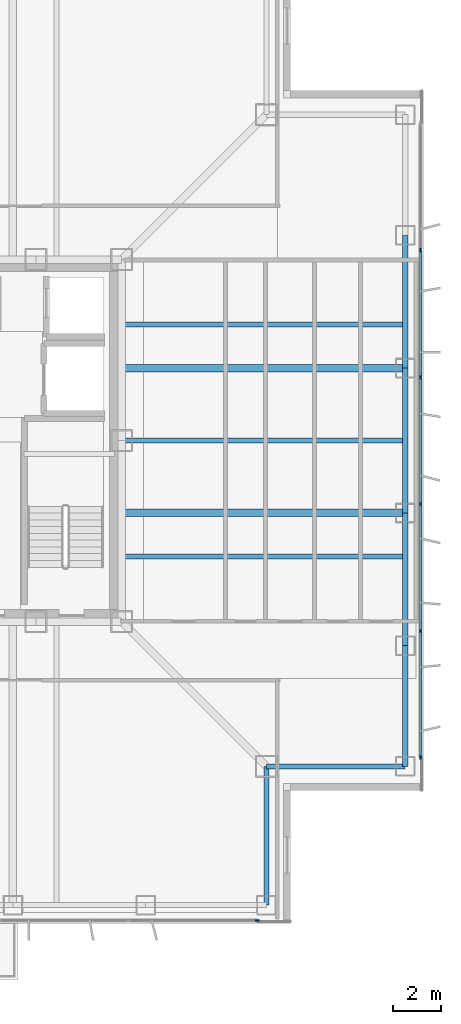
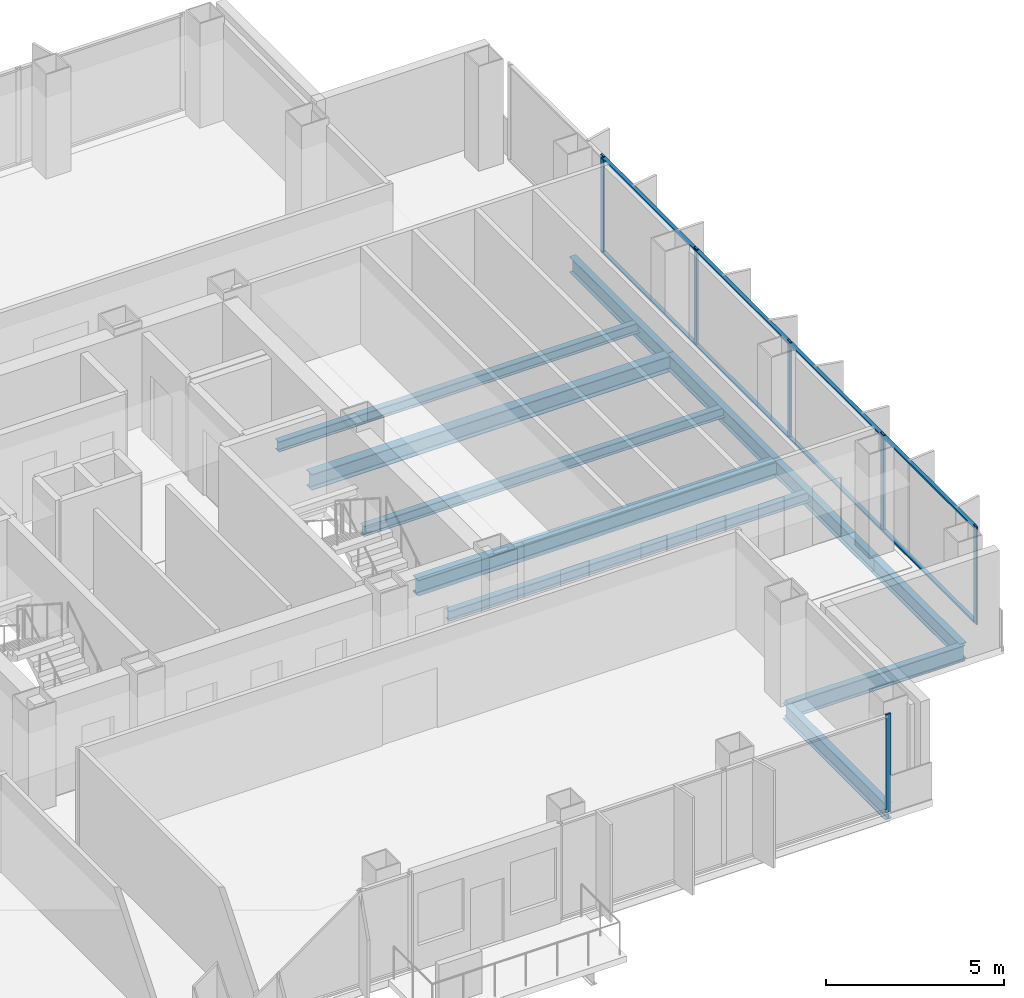
# One storey, part 5 of 13: 14 members, 11 beams, 2 elements without a shape of their own.
"""IFC4 building model written with IfcOpenShell, lengths in metres."""

from ifc_helpers import new_model, si_unit, direction, frame, origin, origin_2d, place, context, subcontext, project, spatial, rectangle, i_section, extrude, material, layer, layer_set, material_profile, profile_set, type_object, element, aggregate, save


model = new_model("IFC4")

# Units and contexts
model_context = context("Model", 3, precision=1e-05, world=origin(), true_north=direction((0.0, 1.0)))
body_context = subcontext(model_context, "Body", "Model", "MODEL_VIEW")
ifc_project = project(units=[si_unit("LENGTHUNIT", "METRE"), si_unit("AREAUNIT", "SQUARE_METRE"), si_unit("VOLUMEUNIT", "CUBIC_METRE"), si_unit("PLANEANGLEUNIT", "RADIAN"), si_unit("MASSUNIT", "GRAM", prefix="KILO")], contexts=[model_context])

# Site, building, storey
site_placement = place(None, origin())
site = spatial("IfcSite", under=ifc_project, at=site_placement, CompositionType="ELEMENT")
building_placement = place(site_placement, origin())
building = spatial("IfcBuilding", under=site, at=building_placement, Name="Trevonay Congress Spire", CompositionType="ELEMENT")
storey_placement = place(building_placement, frame((0.0, 0.0, 205.800048828125)))
storey = spatial("IfcBuildingStorey", under=building, at=storey_placement, Name="L53", CompositionType="ELEMENT", Elevation=205.800048828125)

# Beams
ifc_material_1 = material(Name="Steel ASTM A572 Grade 50", Category="steel")
ifc_material_profile_1 = material_profile(ifc_material_1, i_section(OverallWidth=0.31201171875, OverallDepth=0.54296875, WebThickness=0.0126953125, FlangeThickness=0.020263671875, FilletRadius=0.014892578125, at=origin_2d()), Name="W530x150")
ifc_profile_set_1 = profile_set([ifc_material_profile_1], Name="Steel ASTM A572 Grade 50")
beam_type_1 = type_object("IfcBeamType", Name="BM-GIRD-W530X150", PredefinedType="BEAM", material=ifc_profile_set_1)
for number, where, z_axis, x_axis, name in (
    (1, (7.5, -3.0, -0.511474609375), (1.0, 0.0, 0.0), (0.0, 1.0, 0.0), "L53 structural beam BM-L53-GE-M"),
    (2, (7.5, 3.0, -0.511474609375), (1.0, 0.0, 0.0), (0.0, 1.0, 0.0), "L53 structural beam BM-L53-GE-P"),
):
    element("IfcBeam", number, at=place(storey_placement, frame(where, z_axis=z_axis, x_axis=x_axis)), inside=storey, type_object=beam_type_1, Name=name, PredefinedType="BEAM", context=body_context, shape_type="SweptSolid", body=[
        extrude(i_section(OverallWidth=0.31201171875, OverallDepth=0.54296875, WebThickness=0.0126953125, FlangeThickness=0.020263671875, FilletRadius=0.014892578125, at=origin_2d()), origin(), (0.0, 0.0, 1.0), 11.75),
    ])
ifc_material_profile_2 = material_profile(ifc_material_1, i_section(OverallWidth=0.2119140625, OverallDepth=0.5439453125, WebThickness=0.01318359375, FlangeThickness=0.021240234375, FilletRadius=0.014892578125, at=origin_2d()), Name="W530x123")
ifc_profile_set_2 = profile_set([ifc_material_profile_2], Name="Steel ASTM A572 Grade 50")
beam_type_2 = type_object("IfcBeamType", Name="BM-RING-W530X123", PredefinedType="BEAM", material=ifc_profile_set_2)
beam_1_placement = place(storey_placement, frame((19.25, -13.5, -0.511962890625), z_axis=(0.0, 1.0, 0.0), x_axis=(-1.0, 0.0, 0.0)))
element("IfcBeam", 3, at=beam_1_placement, inside=storey, type_object=beam_type_2, Name="L53 structural beam BM-L53-PE1", PredefinedType="BEAM", context=body_context, shape_type="SweptSolid", body=[
    extrude(i_section(OverallWidth=0.2119140625, OverallDepth=0.5439453125, WebThickness=0.01318359375, FlangeThickness=0.021240234375, FilletRadius=0.014892578125, at=origin_2d()), origin(), (0.0, 0.0, 1.0), 5.0),
])
beam_2_placement = place(storey_placement, frame((19.25, -8.5, -0.511962890625), z_axis=(0.0, 1.0, 0.0), x_axis=(-1.0, 0.0, 0.0)))
element("IfcBeam", 4, at=beam_2_placement, inside=storey, type_object=beam_type_2, Name="L53 structural beam BM-L53-PE2", PredefinedType="BEAM", context=body_context, shape_type="SweptSolid", body=[
    extrude(i_section(OverallWidth=0.2119140625, OverallDepth=0.5439453125, WebThickness=0.01318359375, FlangeThickness=0.021240234375, FilletRadius=0.014892578125, at=origin_2d()), origin(), (0.0, 0.0, 1.0), 5.5),
])
beam_3_placement = place(storey_placement, frame((19.25, -3.0, -0.511962890625), z_axis=(0.0, 1.0, 0.0), x_axis=(-1.0, 0.0, 0.0)))
element("IfcBeam", 5, at=beam_3_placement, inside=storey, type_object=beam_type_2, Name="L53 structural beam BM-L53-PE3", PredefinedType="BEAM", context=body_context, shape_type="SweptSolid", body=[
    extrude(i_section(OverallWidth=0.2119140625, OverallDepth=0.5439453125, WebThickness=0.01318359375, FlangeThickness=0.021240234375, FilletRadius=0.014892578125, at=origin_2d()), origin(), (0.0, 0.0, 1.0), 6.0),
])
beam_4_placement = place(storey_placement, frame((19.25, 3.0, -0.511962890625), z_axis=(0.0, 1.0, 0.0), x_axis=(-1.0, 0.0, 0.0)))
element("IfcBeam", 6, at=beam_4_placement, inside=storey, type_object=beam_type_2, Name="L53 structural beam BM-L53-PE4", PredefinedType="BEAM", context=body_context, shape_type="SweptSolid", body=[
    extrude(i_section(OverallWidth=0.2119140625, OverallDepth=0.5439453125, WebThickness=0.01318359375, FlangeThickness=0.021240234375, FilletRadius=0.014892578125, at=origin_2d()), origin(), (0.0, 0.0, 1.0), 5.5),
])
for number, where, z_axis, x_axis, name in (
    (7, (13.5, -19.25, -0.511962890625), (0.0, 1.0, 0.0), (-1.0, 0.0, 0.0), "L53 structural beam BM-L53-N1SE"),
    (8, (19.25, -13.5, -0.511962890625), (-1.0, 0.0, 0.0), (0.0, -1.0, 0.0), "L53 structural beam BM-L53-N2SE"),
):
    element("IfcBeam", number, at=place(storey_placement, frame(where, z_axis=z_axis, x_axis=x_axis)), inside=storey, type_object=beam_type_2, Name=name, PredefinedType="BEAM", context=body_context, shape_type="SweptSolid", body=[
        extrude(i_section(OverallWidth=0.2119140625, OverallDepth=0.5439453125, WebThickness=0.01318359375, FlangeThickness=0.021240234375, FilletRadius=0.014892578125, at=origin_2d()), origin(), (0.0, 0.0, 1.0), 5.75),
    ])

# Curtain wall, member
ifc_material_2 = material(Name="Pale Anodised Aluminium EN AW-6063-T6", Category="aluminium")
ifc_layer = layer(ifc_material_2, 0.169921875, Name="Pale Anodised Aluminium EN AW-6063-T6")
ifc_layer_set = layer_set([ifc_layer], Name="Pale Anodised Aluminium EN AW-6063-T6")
curtain_wall_type = type_object("IfcCurtainWallType", Name="CW-SYS04-CORP-PALE-METAL", PredefinedType="NOTDEFINED", material=ifc_layer_set)
curtain_wall_1_placement = place(storey_placement, origin())
curtain_wall_1 = element("IfcCurtainWall", 9, at=curtain_wall_1_placement, inside=storey, type_object=curtain_wall_type, Name="L53 SB unitised curtain wall", PredefinedType="NOTDEFINED")
ifc_material_profile_3 = material_profile(ifc_material_2, rectangle(XDim=0.06005859375, YDim=0.159912109375, at=origin_2d()), Name="CW-MULLION-160-ALUMINIUM")
ifc_profile_set_3 = profile_set([ifc_material_profile_3], Name="Pale Anodised Aluminium EN AW-6063-T6")
member_type_1 = type_object("IfcMemberType", Name="CW-MULLION-160-ALUMINIUM", PredefinedType="MULLION", material=ifc_profile_set_3)
member_1_placement = place(storey_placement, frame((13.1201171875, -19.8798828125, 0.0), z_axis=(0.0, 0.0, 1.0), x_axis=(0.0, 1.0, 0.0)))
member_1 = element("IfcMember", 10, at=member_1_placement, type_object=member_type_1, Name="CW04 mullion 3", PredefinedType="MULLION", context=body_context, shape_type="SweptSolid", body=[
    extrude(rectangle(XDim=0.06005859375, YDim=0.159912109375, at=origin_2d()), origin(), (0.0, 0.0, 1.0), 3.35986328125),
])
aggregate(curtain_wall_1, [member_1])

# Curtain wall, members
curtain_wall_2_placement = place(storey_placement, origin())
curtain_wall_2 = element("IfcCurtainWall", 11, at=curtain_wall_2_placement, inside=storey, type_object=curtain_wall_type, Name="L53 E unitised curtain wall", PredefinedType="NOTDEFINED")
member_2_placement = place(storey_placement, frame((19.8798828125, -13.1201171875, 0.0), z_axis=(0.0, 0.0, 1.0), x_axis=(-1.0, 0.0, 0.0)))
member_2 = element("IfcMember", 12, at=member_2_placement, type_object=member_type_1, Name="CW04 mullion 1", PredefinedType="MULLION", context=body_context, shape_type="SweptSolid", body=[
    extrude(rectangle(XDim=0.06005859375, YDim=0.159912109375, at=origin_2d()), origin(), (0.0, 0.0, 1.0), 3.35986328125),
])
member_3_placement = place(storey_placement, frame((19.8798828125, -7.889892578125, 0.0), z_axis=(0.0, 0.0, 1.0), x_axis=(-1.0, 0.0, 0.0)))
member_3 = element("IfcMember", 13, at=member_3_placement, type_object=member_type_1, Name="CW04 mullion 2", PredefinedType="MULLION", context=body_context, shape_type="SweptSolid", body=[
    extrude(rectangle(XDim=0.06005859375, YDim=0.159912109375, at=origin_2d()), origin(), (0.0, 0.0, 1.0), 3.35986328125),
])
member_4_placement = place(storey_placement, frame((19.8798828125, -2.6298828125, 0.0), z_axis=(0.0, 0.0, 1.0), x_axis=(-1.0, 0.0, 0.0)))
member_4 = element("IfcMember", 14, at=member_4_placement, type_object=member_type_1, Name="CW04 mullion 3", PredefinedType="MULLION", context=body_context, shape_type="SweptSolid", body=[
    extrude(rectangle(XDim=0.06005859375, YDim=0.159912109375, at=origin_2d()), origin(), (0.0, 0.0, 1.0), 3.35986328125),
])
member_5_placement = place(storey_placement, frame((19.8798828125, 2.6298828125, 0.0), z_axis=(0.0, 0.0, 1.0), x_axis=(-1.0, 0.0, 0.0)))
member_5 = element("IfcMember", 15, at=member_5_placement, type_object=member_type_1, Name="CW04 mullion 4", PredefinedType="MULLION", context=body_context, shape_type="SweptSolid", body=[
    extrude(rectangle(XDim=0.06005859375, YDim=0.159912109375, at=origin_2d()), origin(), (0.0, 0.0, 1.0), 3.35986328125),
])
member_6_placement = place(storey_placement, frame((19.8798828125, 7.889892578125, 0.0), z_axis=(0.0, 0.0, 1.0), x_axis=(-1.0, 0.0, 0.0)))
member_6 = element("IfcMember", 16, at=member_6_placement, type_object=member_type_1, Name="CW04 mullion 5", PredefinedType="MULLION", context=body_context, shape_type="SweptSolid", body=[
    extrude(rectangle(XDim=0.06005859375, YDim=0.159912109375, at=origin_2d()), origin(), (0.0, 0.0, 1.0), 3.35986328125),
])
ifc_material_profile_4 = material_profile(ifc_material_2, rectangle(XDim=0.1201171875, YDim=0.06005859375, at=origin_2d()), Name="CW-TRANSOM-120-ALUMINIUM")
ifc_profile_set_4 = profile_set([ifc_material_profile_4], Name="Pale Anodised Aluminium EN AW-6063-T6")
member_type_2 = type_object("IfcMemberType", Name="CW-TRANSOM-120-ALUMINIUM", PredefinedType="USERDEFINED", material=ifc_profile_set_4)
member_7_placement = place(storey_placement, frame((19.8798828125, -13.090087890625, 0.06005859375), z_axis=(0.0, 1.0, 0.0), x_axis=(-1.0, 0.0, 0.0)))
member_7 = element("IfcMember", 17, at=member_7_placement, type_object=member_type_2, Name="CW04 transom 1.1", ObjectType="TRANSOM", PredefinedType="USERDEFINED", context=body_context, shape_type="SweptSolid", body=[
    extrude(rectangle(XDim=0.1201171875, YDim=0.06005859375, at=origin_2d()), origin(), (0.0, 0.0, 1.0), 5.170166015625),
])
member_8_placement = place(storey_placement, frame((19.8798828125, -13.090087890625, 3.300048828125), z_axis=(0.0, 1.0, 0.0), x_axis=(-1.0, 0.0, 0.0)))
member_8 = element("IfcMember", 18, at=member_8_placement, type_object=member_type_2, Name="CW04 transom 1.2", ObjectType="TRANSOM", PredefinedType="USERDEFINED", context=body_context, shape_type="SweptSolid", body=[
    extrude(rectangle(XDim=0.1201171875, YDim=0.06005859375, at=origin_2d()), origin(), (0.0, 0.0, 1.0), 5.170166015625),
])
member_9_placement = place(storey_placement, frame((19.8798828125, -7.860107421875, 0.06005859375), z_axis=(0.0, 1.0, 0.0), x_axis=(-1.0, 0.0, 0.0)))
member_9 = element("IfcMember", 19, at=member_9_placement, type_object=member_type_2, Name="CW04 transom 2.1", ObjectType="TRANSOM", PredefinedType="USERDEFINED", context=body_context, shape_type="SweptSolid", body=[
    extrude(rectangle(XDim=0.1201171875, YDim=0.06005859375, at=origin_2d()), origin(), (0.0, 0.0, 1.0), 5.2001953125),
])
member_10_placement = place(storey_placement, frame((19.8798828125, -7.860107421875, 3.300048828125), z_axis=(0.0, 1.0, 0.0), x_axis=(-1.0, 0.0, 0.0)))
member_10 = element("IfcMember", 20, at=member_10_placement, type_object=member_type_2, Name="CW04 transom 2.2", ObjectType="TRANSOM", PredefinedType="USERDEFINED", context=body_context, shape_type="SweptSolid", body=[
    extrude(rectangle(XDim=0.1201171875, YDim=0.06005859375, at=origin_2d()), origin(), (0.0, 0.0, 1.0), 5.2001953125),
])
member_11_placement = place(storey_placement, frame((19.8798828125, -2.60009765625, 0.06005859375), z_axis=(0.0, 1.0, 0.0), x_axis=(-1.0, 0.0, 0.0)))
member_11 = element("IfcMember", 21, at=member_11_placement, type_object=member_type_2, Name="CW04 transom 3.1", ObjectType="TRANSOM", PredefinedType="USERDEFINED", context=body_context, shape_type="SweptSolid", body=[
    extrude(rectangle(XDim=0.1201171875, YDim=0.06005859375, at=origin_2d()), origin(), (0.0, 0.0, 1.0), 5.2001953125),
])
member_12_placement = place(storey_placement, frame((19.8798828125, -2.60009765625, 3.300048828125), z_axis=(0.0, 1.0, 0.0), x_axis=(-1.0, 0.0, 0.0)))
member_12 = element("IfcMember", 22, at=member_12_placement, type_object=member_type_2, Name="CW04 transom 3.2", ObjectType="TRANSOM", PredefinedType="USERDEFINED", context=body_context, shape_type="SweptSolid", body=[
    extrude(rectangle(XDim=0.1201171875, YDim=0.06005859375, at=origin_2d()), origin(), (0.0, 0.0, 1.0), 5.2001953125),
])
member_13_placement = place(storey_placement, frame((19.8798828125, 2.659912109375, 0.06005859375), z_axis=(0.0, 1.0, 0.0), x_axis=(-1.0, 0.0, 0.0)))
member_13 = element("IfcMember", 23, at=member_13_placement, type_object=member_type_2, Name="CW04 transom 4.1", ObjectType="TRANSOM", PredefinedType="USERDEFINED", context=body_context, shape_type="SweptSolid", body=[
    extrude(rectangle(XDim=0.1201171875, YDim=0.06005859375, at=origin_2d()), origin(), (0.0, 0.0, 1.0), 5.2001953125),
])
member_14_placement = place(storey_placement, frame((19.8798828125, 2.659912109375, 3.300048828125), z_axis=(0.0, 1.0, 0.0), x_axis=(-1.0, 0.0, 0.0)))
member_14 = element("IfcMember", 24, at=member_14_placement, type_object=member_type_2, Name="CW04 transom 4.2", ObjectType="TRANSOM", PredefinedType="USERDEFINED", context=body_context, shape_type="SweptSolid", body=[
    extrude(rectangle(XDim=0.1201171875, YDim=0.06005859375, at=origin_2d()), origin(), (0.0, 0.0, 1.0), 5.2001953125),
])
aggregate(curtain_wall_2, [member_2, member_3, member_4, member_5, member_6, member_7, member_8, member_9, member_10, member_11, member_12, member_13, member_14])

# Beams
ifc_material_profile_5 = material_profile(ifc_material_1, i_section(OverallWidth=0.205078125, OverallDepth=0.35400390625, WebThickness=0.009521484375, FlangeThickness=0.016845703125, FilletRadius=0.011962890625, at=origin_2d()), Name="W360x79")
ifc_profile_set_5 = profile_set([ifc_material_profile_5], Name="Steel ASTM A572 Grade 50")
beam_type_3 = type_object("IfcBeamType", Name="JS-COMP-W360X79", PredefinedType="JOIST", material=ifc_profile_set_5)
for number, where, z_axis, x_axis, name in (
    (25, (7.5, -4.800048828125, -0.4169921875), (1.0, 0.0, 0.0), (0.0, 1.0, 0.0), "L53 structural beam JS-L53-EW-E1"),
    (26, (7.5, 0.0, -0.4169921875), (1.0, 0.0, 0.0), (0.0, 1.0, 0.0), "L53 structural beam JS-L53-EW-E2"),
    (27, (7.5, 4.800048828125, -0.4169921875), (1.0, 0.0, 0.0), (0.0, 1.0, 0.0), "L53 structural beam JS-L53-EW-E3"),
):
    element("IfcBeam", number, at=place(storey_placement, frame(where, z_axis=z_axis, x_axis=x_axis)), inside=storey, type_object=beam_type_3, Name=name, PredefinedType="JOIST", context=body_context, shape_type="SweptSolid", body=[
        extrude(i_section(OverallWidth=0.205078125, OverallDepth=0.35400390625, WebThickness=0.009521484375, FlangeThickness=0.016845703125, FilletRadius=0.011962890625, at=origin_2d()), origin(), (0.0, 0.0, 1.0), 11.75),
    ])

save(model, "model.ifc")
